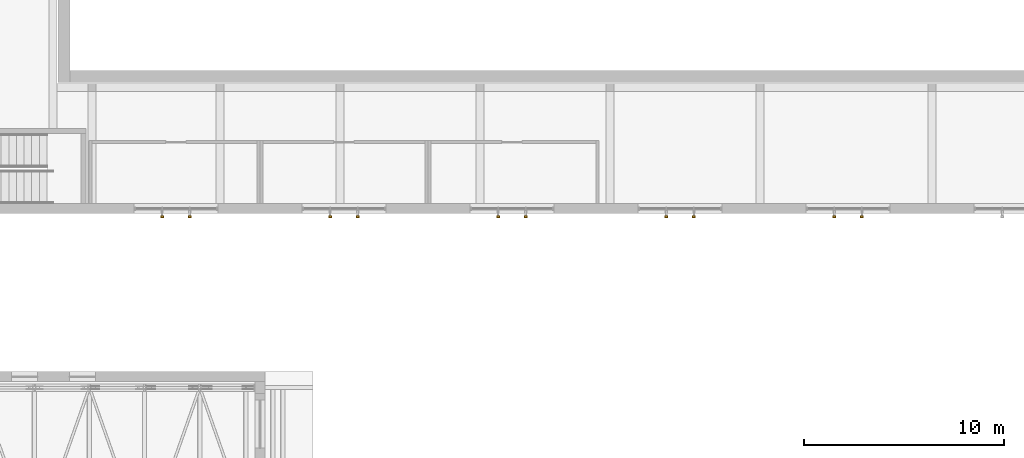
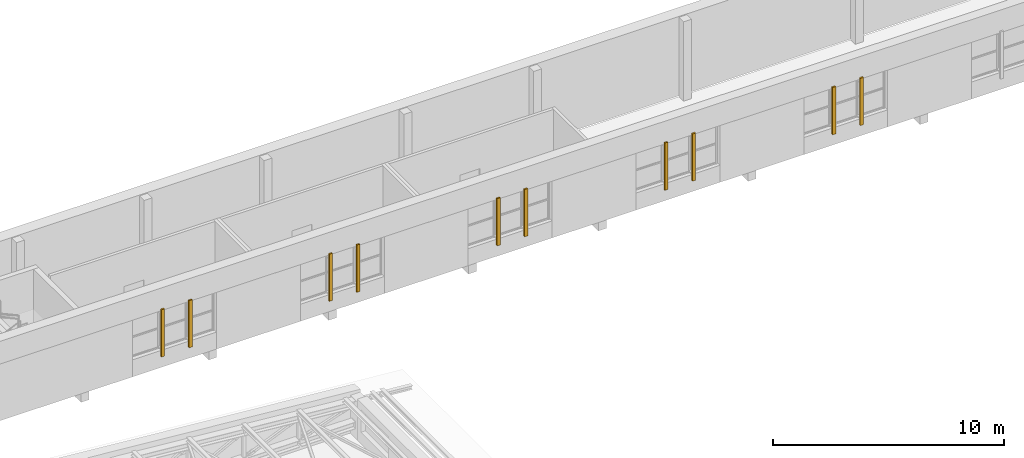
# One storey, part 55 of 60: 10 shading devices.
"""IFC4 building model written with IfcOpenShell, lengths in metres."""

from ifc_helpers import new_model, si_unit, direction, frame, origin, origin_2d, place, context, subcontext, project, spatial, rectangle, extrude, material, type_object, element, save


model = new_model("IFC4")

# Units and contexts
model_context = context("Model", 3, precision=1e-05, world=origin(), true_north=direction((0.0, 1.0)))
body_context = subcontext(model_context, "Body", "Model", "MODEL_VIEW")
ifc_project = project(units=[si_unit("LENGTHUNIT", "METRE"), si_unit("AREAUNIT", "SQUARE_METRE"), si_unit("VOLUMEUNIT", "CUBIC_METRE"), si_unit("PLANEANGLEUNIT", "RADIAN"), si_unit("MASSUNIT", "GRAM", prefix="KILO")], contexts=[model_context])

# Site, building, storey
site_placement = place(None, origin())
site = spatial("IfcSite", under=ifc_project, at=site_placement, CompositionType="ELEMENT")
building_placement = place(site_placement, origin())
building = spatial("IfcBuilding", under=site, at=building_placement, Name="Ljudholm Concert House", CompositionType="ELEMENT")
storey_placement = place(building_placement, frame((0.0, 0.0, 15.0)))
storey = spatial("IfcBuildingStorey", under=building, at=storey_placement, Name="L03", CompositionType="ELEMENT", Elevation=15.0)

# Shading devices
ifc_material = material(Name="Aluminium extrusion with timber-grain PVDF finish", Category="aluminium")
shading_device_type = type_object("IfcShadingDeviceType", Name="FACADE FIN 80x160", PredefinedType="SHUTTER", material=ifc_material)
for number, where, z_axis, x_axis, name in (
    (1, (41.110107421875, 53.989990234375, 0.699951171875), (0.0, 0.0, 1.0), (0.0, -1.0, 0.0), "Facade fin"),
    (2, (42.489990234375, 53.989990234375, 0.699951171875), (0.0, 0.0, 1.0), (0.0, -1.0, 0.0), "Facade fin"),
    (3, (49.510009765625, 53.989990234375, 0.699951171875), (0.0, 0.0, 1.0), (0.0, -1.0, 0.0), "Facade fin"),
    (4, (50.889892578125, 53.989990234375, 0.699951171875), (0.0, 0.0, 1.0), (0.0, -1.0, 0.0), "Facade fin"),
    (5, (57.909912109375, 53.989990234375, 0.699951171875), (0.0, 0.0, 1.0), (0.0, -1.0, 0.0), "Facade fin"),
    (6, (59.2900390625, 53.989990234375, 0.699951171875), (0.0, 0.0, 1.0), (0.0, -1.0, 0.0), "Facade fin"),
    (7, (66.31005859375, 53.989990234375, 0.699951171875), (0.0, 0.0, 1.0), (0.0, -1.0, 0.0), "Facade fin"),
    (8, (67.68994140625, 53.989990234375, 0.699951171875), (0.0, 0.0, 1.0), (0.0, -1.0, 0.0), "Facade fin"),
    (9, (74.7099609375, 53.989990234375, 0.699951171875), (0.0, 0.0, 1.0), (0.0, -1.0, 0.0), "Facade fin"),
    (10, (76.090087890625, 53.989990234375, 0.699951171875), (0.0, 0.0, 1.0), (0.0, -1.0, 0.0), "Facade fin"),
):
    element("IfcShadingDevice", number, at=place(storey_placement, frame(where, z_axis=z_axis, x_axis=x_axis)), inside=storey, type_object=shading_device_type, Name=name, PredefinedType="SHUTTER", context=body_context, shape_type="SweptSolid", body=[
        extrude(rectangle(XDim=0.080078125, YDim=0.159912109375, at=origin_2d()), origin(), (0.0, 0.0, 1.0), 2.5),
    ])

save(model, "model.ifc")
